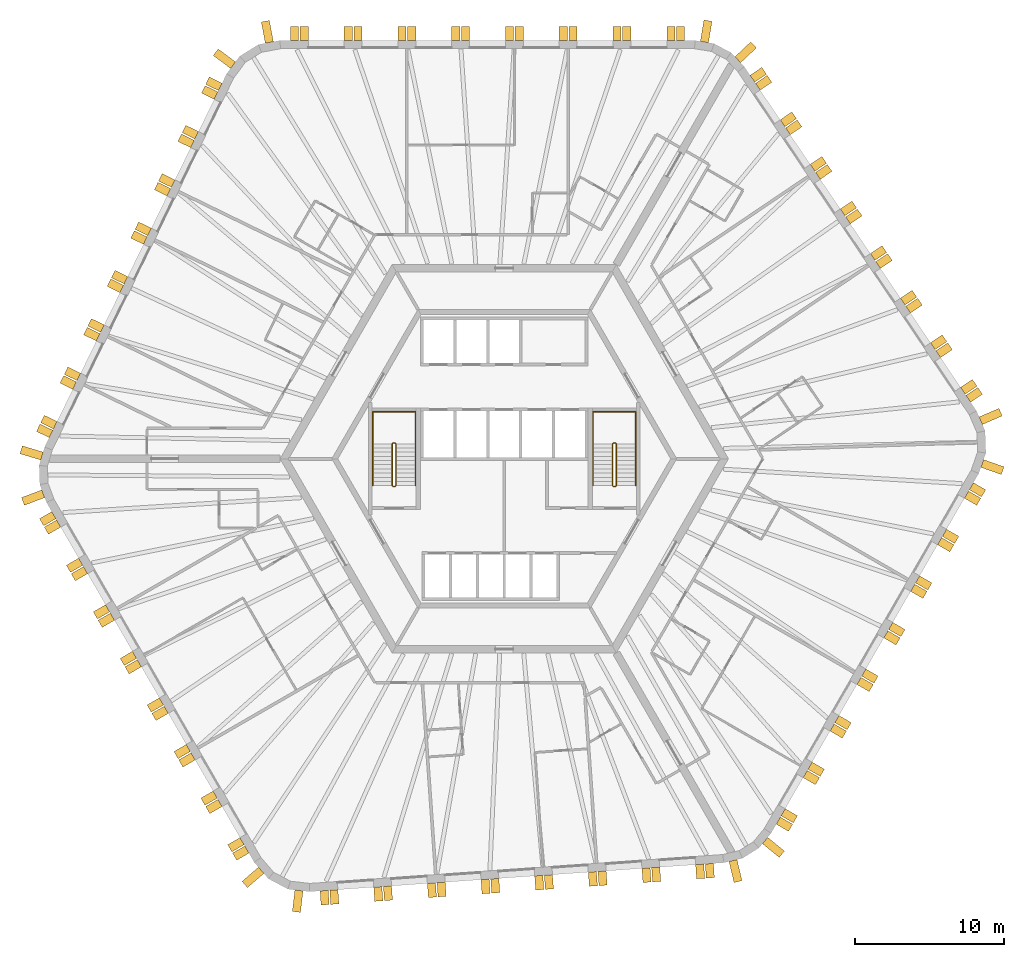
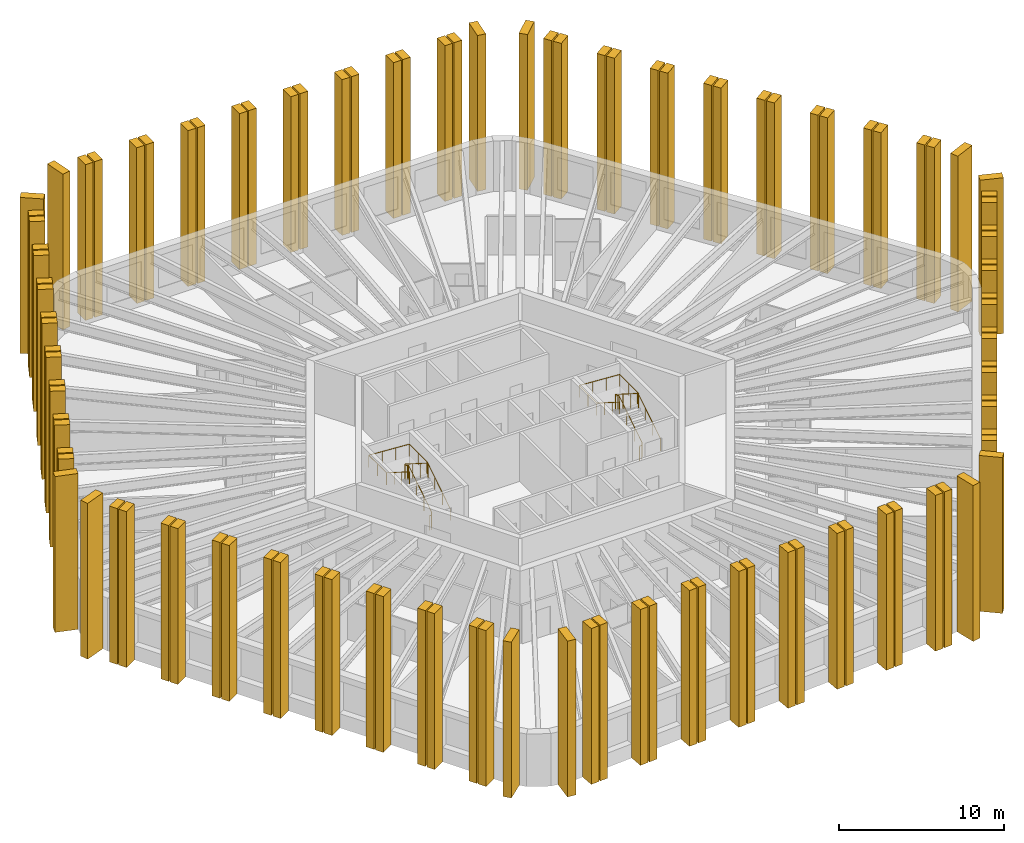
# One storey, part 10 of 10: 108 shading devices, 4 railings.
"""IFC4 building model written with IfcOpenShell, lengths in metres."""

from ifc_helpers import new_model, si_unit, direction, frame, origin, origin_2d, place, context, subcontext, project, spatial, polyline, circle, outline, extrude, material, layer, layer_set, type_object, element, save


model = new_model("IFC4")

# Units and contexts
model_context = context("Model", 3, precision=1e-05, world=origin(), true_north=direction((0.0, 1.0)))
body_context = subcontext(model_context, "Body", "Model", "MODEL_VIEW")
ifc_project = project(units=[si_unit("LENGTHUNIT", "METRE"), si_unit("AREAUNIT", "SQUARE_METRE"), si_unit("VOLUMEUNIT", "CUBIC_METRE"), si_unit("PLANEANGLEUNIT", "RADIAN"), si_unit("MASSUNIT", "GRAM", prefix="KILO")], contexts=[model_context])

# Site, building, storey
site_placement = place(None, origin())
site = spatial("IfcSite", under=ifc_project, at=site_placement, CompositionType="ELEMENT")
building_placement = place(site_placement, origin())
building = spatial("IfcBuilding", under=site, at=building_placement, Name="Tarnside Tower", CompositionType="ELEMENT")
storey_placement = place(building_placement, frame((0.0, 0.0, 238.5)))
storey = spatial("IfcBuildingStorey", under=building, at=storey_placement, Name="L57", CompositionType="ELEMENT", Elevation=238.5)

# Shading devices
ifc_material_1 = material(Name="Concrete C50/60 white precast", Category="concrete")
ifc_layer_1 = layer(ifc_material_1, 0.550048828125)
ifc_layer_set_1 = layer_set([ifc_layer_1], Name="Precast fin 550 x 1450")
shading_device_type_1 = type_object("IfcShadingDeviceType", Name="Precast fin 550 x 1450", PredefinedType="USERDEFINED", material=ifc_layer_set_1)
for number, where, z_axis, x_axis, name in (
    (1, (-15.725341796875, 27.86767578125, -0.14990234375), (0.982720646705, 0.18509492305, 0.0), (-0.18509492305, 0.982720646705, 0.0), "Precast fin"),
    (2, (-18.15380859375, 26.35009765625, -0.14990234375), (0.597158591707, 0.802123192752, 0.0), (-0.802123192752, 0.597158591707, 0.0), "Precast fin"),
    (3, (-30.949951171875, 0.184326171875, -0.14990234375), (0.286803232717, 0.957989512314, 0.0), (-0.957989512314, 0.286803232717, 0.0), "Precast fin"),
    (4, (-30.861572265625, -2.343017578125, -0.14990234375), (-0.352930564719, 0.935649515837, 0.0), (-0.935649515837, -0.352930564719, 0.0), "Precast fin"),
    (5, (-16.271484375, -27.55224609375, -0.14990234375), (-0.651657228826, 0.758513583345, 0.0), (-0.758513583345, -0.651657228826, 0.0), "Precast fin"),
    (6, (-13.7431640625, -28.896728515625, -0.14990234375), (-0.993238357741, 0.116092914131, 0.0), (-0.116092914131, -0.993238357741, 0.0), "Precast fin"),
    (7, (15.315185546875, -26.8955078125, -0.14990234375), (-0.973044870581, -0.230615870737, 0.0), (0.230615870737, -0.973044870581, 0.0), "Precast fin"),
    (8, (17.4599609375, -25.555419921875, -0.14990234375), (-0.633830967394, -0.773471592738, 0.0), (0.773471592738, -0.633830967394, 0.0), "Precast fin"),
    (9, (31.996826171875, -0.315185546875, -0.14990234375), (-0.331063417879, -0.943608506396, 0.0), (0.943608506396, -0.331063417879, 0.0), "Precast fin"),
    (10, (31.896728515625, 2.54638671875, -0.14990234375), (0.396079766034, -0.918216106883, 0.0), (0.918216106883, 0.396079766034, 0.0), "Precast fin"),
    (11, (15.634765625, 26.711181640625, -0.14990234375), (0.686241637865, -0.727373641577, 0.0), (0.727373641577, 0.686241637865, 0.0), "Precast fin"),
    (12, (13.40185546875, 27.8984375, -0.14990234375), (0.986761532114, -0.1621779231, 0.0), (0.1621779231, 0.986761532114, 0.0), "Precast fin"),
):
    element("IfcShadingDevice", number, at=place(storey_placement, frame(where, z_axis=z_axis, x_axis=x_axis)), inside=storey, type_object=shading_device_type_1, Name=name, ObjectType="FIN", PredefinedType="USERDEFINED", context=body_context, shape_type="SweptSolid", body=[
        extrude(outline(polyline([(0.0, 0.0), (1.449951171875, 0.0), (1.449951171875, 11.5498046875), (0.0, 11.5498046875), (0.0, 0.0)])), frame((0.0, 0.0, -0.27490234375)), (0.0, 0.0, 1.0), 0.550048828125),
    ])
ifc_layer_2 = layer(ifc_material_1, 0.550048828125)
ifc_layer_set_2 = layer_set([ifc_layer_2], Name="Precast fin 550 x 950")
shading_device_type_2 = type_object("IfcShadingDeviceType", Name="Precast fin 550 x 950", PredefinedType="USERDEFINED", material=ifc_layer_set_2)
for number, where, z_axis, x_axis, name in (
    (13, (11.80712890625, 28.0, -0.14990234375), (1.0, 0.0, 0.0), (0.0, 1.0, 0.0), "Precast fin"),
    (14, (11.1572265625, 28.0, -0.14990234375), (1.0, 0.0, 0.0), (0.0, 1.0, 0.0), "Precast fin"),
    (15, (8.20703125, 28.0, -0.14990234375), (1.0, 0.0, 0.0), (0.0, 1.0, 0.0), "Precast fin"),
    (16, (7.55712890625, 28.0, -0.14990234375), (1.0, 0.0, 0.0), (0.0, 1.0, 0.0), "Precast fin"),
    (17, (4.607177734375, 28.0, -0.14990234375), (1.0, 0.0, 0.0), (0.0, 1.0, 0.0), "Precast fin"),
    (18, (3.95703125, 28.0, -0.14990234375), (1.0, 0.0, 0.0), (0.0, 1.0, 0.0), "Precast fin"),
    (19, (1.007080078125, 28.0, -0.14990234375), (1.0, 0.0, 0.0), (0.0, 1.0, 0.0), "Precast fin"),
    (20, (0.357177734375, 28.0, -0.14990234375), (1.0, 0.0, 0.0), (0.0, 1.0, 0.0), "Precast fin"),
    (21, (-2.5927734375, 28.0, -0.14990234375), (1.0, 0.0, 0.0), (0.0, 1.0, 0.0), "Precast fin"),
    (22, (-3.242919921875, 28.0, -0.14990234375), (1.0, 0.0, 0.0), (0.0, 1.0, 0.0), "Precast fin"),
    (23, (-6.19287109375, 28.0, -0.14990234375), (1.0, 0.0, 0.0), (0.0, 1.0, 0.0), "Precast fin"),
    (24, (-6.8427734375, 28.0, -0.14990234375), (1.0, 0.0, 0.0), (0.0, 1.0, 0.0), "Precast fin"),
    (25, (-9.79296875, 28.0, -0.14990234375), (1.0, 0.0, 0.0), (0.0, 1.0, 0.0), "Precast fin"),
    (26, (-10.44287109375, 28.0, -0.14990234375), (1.0, 0.0, 0.0), (0.0, 1.0, 0.0), "Precast fin"),
    (27, (-13.392822265625, 28.0, -0.14990234375), (1.0, 0.0, 0.0), (0.0, 1.0, 0.0), "Precast fin"),
    (28, (-14.04296875, 28.0, -0.14990234375), (1.0, 0.0, 0.0), (0.0, 1.0, 0.0), "Precast fin"),
    (29, (-19.01025390625, 24.896240234375, -0.14990234375), (0.438371146789, 0.898794046299, 0.0), (-0.898794046299, 0.438371146789, 0.0), "Precast fin"),
    (30, (-19.295166015625, 24.31201171875, -0.14990234375), (0.438371146789, 0.898794046299, 0.0), (-0.898794046299, 0.438371146789, 0.0), "Precast fin"),
    (31, (-20.58837890625, 21.660400390625, -0.14990234375), (0.438371146789, 0.898794046299, 0.0), (-0.898794046299, 0.438371146789, 0.0), "Precast fin"),
    (32, (-20.873291015625, 21.076171875, -0.14990234375), (0.438371146789, 0.898794046299, 0.0), (-0.898794046299, 0.438371146789, 0.0), "Precast fin"),
    (33, (-22.16650390625, 18.4248046875, -0.14990234375), (0.438371146789, 0.898794046299, 0.0), (-0.898794046299, 0.438371146789, 0.0), "Precast fin"),
    (34, (-22.451416015625, 17.840576171875, -0.14990234375), (0.438371146789, 0.898794046299, 0.0), (-0.898794046299, 0.438371146789, 0.0), "Precast fin"),
    (35, (-23.74462890625, 15.189208984375, -0.14990234375), (0.438371146789, 0.898794046299, 0.0), (-0.898794046299, 0.438371146789, 0.0), "Precast fin"),
    (36, (-24.029541015625, 14.60498046875, -0.14990234375), (0.438371146789, 0.898794046299, 0.0), (-0.898794046299, 0.438371146789, 0.0), "Precast fin"),
    (37, (-25.32275390625, 11.953369140625, -0.14990234375), (0.438371146789, 0.898794046299, 0.0), (-0.898794046299, 0.438371146789, 0.0), "Precast fin"),
    (38, (-25.607666015625, 11.369384765625, -0.14990234375), (0.438371146789, 0.898794046299, 0.0), (-0.898794046299, 0.438371146789, 0.0), "Precast fin"),
    (39, (-26.90087890625, 8.7177734375, -0.14990234375), (0.438371146789, 0.898794046299, 0.0), (-0.898794046299, 0.438371146789, 0.0), "Precast fin"),
    (40, (-27.185791015625, 8.133544921875, -0.14990234375), (0.438371146789, 0.898794046299, 0.0), (-0.898794046299, 0.438371146789, 0.0), "Precast fin"),
    (41, (-28.47900390625, 5.482177734375, -0.14990234375), (0.438371146789, 0.898794046299, 0.0), (-0.898794046299, 0.438371146789, 0.0), "Precast fin"),
    (42, (-28.763916015625, 4.89794921875, -0.14990234375), (0.438371146789, 0.898794046299, 0.0), (-0.898794046299, 0.438371146789, 0.0), "Precast fin"),
    (43, (-30.05712890625, 2.24658203125, -0.14990234375), (0.438371146789, 0.898794046299, 0.0), (-0.898794046299, 0.438371146789, 0.0), "Precast fin"),
    (44, (-30.342041015625, 1.662353515625, -0.14990234375), (0.438371146789, 0.898794046299, 0.0), (-0.898794046299, 0.438371146789, 0.0), "Precast fin"),
    (45, (-30.15234375, -3.774658203125, -0.14990234375), (-0.5, 0.866025403784, 0.0), (-0.866025403784, -0.5, 0.0), "Precast fin"),
    (46, (-29.827392578125, -4.337646484375, -0.14990234375), (-0.5, 0.866025403784, 0.0), (-0.866025403784, -0.5, 0.0), "Precast fin"),
    (47, (-28.352294921875, -6.892333984375, -0.14990234375), (-0.5, 0.866025403784, 0.0), (-0.866025403784, -0.5, 0.0), "Precast fin"),
    (48, (-28.02734375, -7.455322265625, -0.14990234375), (-0.5, 0.866025403784, 0.0), (-0.866025403784, -0.5, 0.0), "Precast fin"),
    (49, (-26.55224609375, -10.010009765625, -0.14990234375), (-0.5, 0.866025403784, 0.0), (-0.866025403784, -0.5, 0.0), "Precast fin"),
    (50, (-26.227294921875, -10.572998046875, -0.14990234375), (-0.5, 0.866025403784, 0.0), (-0.866025403784, -0.5, 0.0), "Precast fin"),
    (51, (-24.752197265625, -13.127685546875, -0.14990234375), (-0.5, 0.866025403784, 0.0), (-0.866025403784, -0.5, 0.0), "Precast fin"),
    (52, (-24.42724609375, -13.690673828125, -0.14990234375), (-0.5, 0.866025403784, 0.0), (-0.866025403784, -0.5, 0.0), "Precast fin"),
    (53, (-22.952392578125, -16.24560546875, -0.14990234375), (-0.5, 0.866025403784, 0.0), (-0.866025403784, -0.5, 0.0), "Precast fin"),
    (54, (-22.627197265625, -16.808349609375, -0.14990234375), (-0.5, 0.866025403784, 0.0), (-0.866025403784, -0.5, 0.0), "Precast fin"),
    (55, (-21.15234375, -19.36328125, -0.14990234375), (-0.5, 0.866025403784, 0.0), (-0.866025403784, -0.5, 0.0), "Precast fin"),
    (56, (-20.827392578125, -19.926025390625, -0.14990234375), (-0.5, 0.866025403784, 0.0), (-0.866025403784, -0.5, 0.0), "Precast fin"),
    (57, (-19.352294921875, -22.48095703125, -0.14990234375), (-0.5, 0.866025403784, 0.0), (-0.866025403784, -0.5, 0.0), "Precast fin"),
    (58, (-19.02734375, -23.043701171875, -0.14990234375), (-0.5, 0.866025403784, 0.0), (-0.866025403784, -0.5, 0.0), "Precast fin"),
    (59, (-17.55224609375, -25.5986328125, -0.14990234375), (-0.5, 0.866025403784, 0.0), (-0.866025403784, -0.5, 0.0), "Precast fin"),
    (60, (-17.227294921875, -26.161376953125, -0.14990234375), (-0.5, 0.866025403784, 0.0), (-0.866025403784, -0.5, 0.0), "Precast fin"),
    (61, (-12.0556640625, -28.911376953125, -0.14990234375), (-0.99756405026, -0.069756473744, 0.0), (0.069756473744, -0.99756405026, 0.0), "Precast fin"),
    (62, (-11.4072265625, -28.865966796875, -0.14990234375), (-0.99756405026, -0.069756473744, 0.0), (0.069756473744, -0.99756405026, 0.0), "Precast fin"),
    (63, (-8.46435546875, -28.66015625, -0.14990234375), (-0.99756405026, -0.069756473744, 0.0), (0.069756473744, -0.99756405026, 0.0), "Precast fin"),
    (64, (-7.81591796875, -28.614990234375, -0.14990234375), (-0.99756405026, -0.069756473744, 0.0), (0.069756473744, -0.99756405026, 0.0), "Precast fin"),
    (65, (-4.873046875, -28.4091796875, -0.14990234375), (-0.99756405026, -0.069756473744, 0.0), (0.069756473744, -0.99756405026, 0.0), "Precast fin"),
    (66, (-4.224609375, -28.36376953125, -0.14990234375), (-0.99756405026, -0.069756473744, 0.0), (0.069756473744, -0.99756405026, 0.0), "Precast fin"),
    (67, (-1.281982421875, -28.157958984375, -0.14990234375), (-0.99756405026, -0.069756473744, 0.0), (0.069756473744, -0.99756405026, 0.0), "Precast fin"),
    (68, (-0.633544921875, -28.112548828125, -0.14990234375), (-0.99756405026, -0.069756473744, 0.0), (0.069756473744, -0.99756405026, 0.0), "Precast fin"),
    (69, (2.309326171875, -27.906982421875, -0.14990234375), (-0.99756405026, -0.069756473744, 0.0), (0.069756473744, -0.99756405026, 0.0), "Precast fin"),
    (70, (2.957763671875, -27.861572265625, -0.14990234375), (-0.99756405026, -0.069756473744, 0.0), (0.069756473744, -0.99756405026, 0.0), "Precast fin"),
    (71, (5.900634765625, -27.65576171875, -0.14990234375), (-0.99756405026, -0.069756473744, 0.0), (0.069756473744, -0.99756405026, 0.0), "Precast fin"),
    (72, (6.549072265625, -27.6103515625, -0.14990234375), (-0.99756405026, -0.069756473744, 0.0), (0.069756473744, -0.99756405026, 0.0), "Precast fin"),
    (73, (9.49169921875, -27.404541015625, -0.14990234375), (-0.99756405026, -0.069756473744, 0.0), (0.069756473744, -0.99756405026, 0.0), "Precast fin"),
    (74, (10.14013671875, -27.359375, -0.14990234375), (-0.99756405026, -0.069756473744, 0.0), (0.069756473744, -0.99756405026, 0.0), "Precast fin"),
    (75, (13.0830078125, -27.153564453125, -0.14990234375), (-0.99756405026, -0.069756473744, 0.0), (0.069756473744, -0.99756405026, 0.0), "Precast fin"),
    (76, (13.7314453125, -27.108154296875, -0.14990234375), (-0.99756405026, -0.069756473744, 0.0), (0.069756473744, -0.99756405026, 0.0), "Precast fin"),
    (77, (18.34521484375, -24.225341796875, -0.14990234375), (-0.5, -0.866025403784, 0.0), (0.866025403784, -0.5, 0.0), "Precast fin"),
    (78, (18.670166015625, -23.662353515625, -0.14990234375), (-0.5, -0.866025403784, 0.0), (0.866025403784, -0.5, 0.0), "Precast fin"),
    (79, (20.145263671875, -21.107666015625, -0.14990234375), (-0.5, -0.866025403784, 0.0), (0.866025403784, -0.5, 0.0), "Precast fin"),
    (80, (20.47021484375, -20.544677734375, -0.14990234375), (-0.5, -0.866025403784, 0.0), (0.866025403784, -0.5, 0.0), "Precast fin"),
    (81, (21.945068359375, -17.989990234375, -0.14990234375), (-0.5, -0.866025403784, 0.0), (0.866025403784, -0.5, 0.0), "Precast fin"),
    (82, (22.270263671875, -17.427001953125, -0.14990234375), (-0.5, -0.866025403784, 0.0), (0.866025403784, -0.5, 0.0), "Precast fin"),
    (83, (23.7451171875, -14.872314453125, -0.14990234375), (-0.5, -0.866025403784, 0.0), (0.866025403784, -0.5, 0.0), "Precast fin"),
    (84, (24.070068359375, -14.309326171875, -0.14990234375), (-0.5, -0.866025403784, 0.0), (0.866025403784, -0.5, 0.0), "Precast fin"),
    (85, (25.545166015625, -11.75439453125, -0.14990234375), (-0.5, -0.866025403784, 0.0), (0.866025403784, -0.5, 0.0), "Precast fin"),
    (86, (25.8701171875, -11.191650390625, -0.14990234375), (-0.5, -0.866025403784, 0.0), (0.866025403784, -0.5, 0.0), "Precast fin"),
    (87, (27.34521484375, -8.63671875, -0.14990234375), (-0.5, -0.866025403784, 0.0), (0.866025403784, -0.5, 0.0), "Precast fin"),
    (88, (27.670166015625, -8.073974609375, -0.14990234375), (-0.5, -0.866025403784, 0.0), (0.866025403784, -0.5, 0.0), "Precast fin"),
    (89, (29.145263671875, -5.51904296875, -0.14990234375), (-0.5, -0.866025403784, 0.0), (0.866025403784, -0.5, 0.0), "Precast fin"),
    (90, (29.47021484375, -4.956298828125, -0.14990234375), (-0.5, -0.866025403784, 0.0), (0.866025403784, -0.5, 0.0), "Precast fin"),
    (91, (30.945068359375, -2.4013671875, -0.14990234375), (-0.5, -0.866025403784, 0.0), (0.866025403784, -0.5, 0.0), "Precast fin"),
    (92, (31.270263671875, -1.838623046875, -0.14990234375), (-0.5, -0.866025403784, 0.0), (0.866025403784, -0.5, 0.0), "Precast fin"),
    (93, (31.065673828125, 4.01513671875, -0.14990234375), (0.559192903471, -0.829037572555, 0.0), (0.829037572555, 0.559192903471, 0.0), "Precast fin"),
    (94, (30.702392578125, 4.55419921875, -0.14990234375), (0.559192903471, -0.829037572555, 0.0), (0.829037572555, 0.559192903471, 0.0), "Precast fin"),
    (95, (29.052734375, 6.999755859375, -0.14990234375), (0.559192903471, -0.829037572555, 0.0), (0.829037572555, 0.559192903471, 0.0), "Precast fin"),
    (96, (28.689208984375, 7.53857421875, -0.14990234375), (0.559192903471, -0.829037572555, 0.0), (0.829037572555, 0.559192903471, 0.0), "Precast fin"),
    (97, (27.03955078125, 9.984375, -0.14990234375), (0.559192903471, -0.829037572555, 0.0), (0.829037572555, 0.559192903471, 0.0), "Precast fin"),
    (98, (26.676025390625, 10.523193359375, -0.14990234375), (0.559192903471, -0.829037572555, 0.0), (0.829037572555, 0.559192903471, 0.0), "Precast fin"),
    (99, (25.026611328125, 12.96875, -0.14990234375), (0.559192903471, -0.829037572555, 0.0), (0.829037572555, 0.559192903471, 0.0), "Precast fin"),
    (100, (24.6630859375, 13.5078125, -0.14990234375), (0.559192903471, -0.829037572555, 0.0), (0.829037572555, 0.559192903471, 0.0), "Precast fin"),
    (101, (23.013427734375, 15.953369140625, -0.14990234375), (0.559192903471, -0.829037572555, 0.0), (0.829037572555, 0.559192903471, 0.0), "Precast fin"),
    (102, (22.64990234375, 16.4921875, -0.14990234375), (0.559192903471, -0.829037572555, 0.0), (0.829037572555, 0.559192903471, 0.0), "Precast fin"),
    (103, (21.000244140625, 18.93798828125, -0.14990234375), (0.559192903471, -0.829037572555, 0.0), (0.829037572555, 0.559192903471, 0.0), "Precast fin"),
    (104, (20.63671875, 19.476806640625, -0.14990234375), (0.559192903471, -0.829037572555, 0.0), (0.829037572555, 0.559192903471, 0.0), "Precast fin"),
    (105, (18.9873046875, 21.92236328125, -0.14990234375), (0.559192903471, -0.829037572555, 0.0), (0.829037572555, 0.559192903471, 0.0), "Precast fin"),
    (106, (18.623779296875, 22.46142578125, -0.14990234375), (0.559192903471, -0.829037572555, 0.0), (0.829037572555, 0.559192903471, 0.0), "Precast fin"),
    (107, (16.97412109375, 24.906982421875, -0.14990234375), (0.559192903471, -0.829037572555, 0.0), (0.829037572555, 0.559192903471, 0.0), "Precast fin"),
    (108, (16.610595703125, 25.44580078125, -0.14990234375), (0.559192903471, -0.829037572555, 0.0), (0.829037572555, 0.559192903471, 0.0), "Precast fin"),
):
    element("IfcShadingDevice", number, at=place(storey_placement, frame(where, z_axis=z_axis, x_axis=x_axis)), inside=storey, type_object=shading_device_type_2, Name=name, ObjectType="FIN", PredefinedType="USERDEFINED", context=body_context, shape_type="SweptSolid", body=[
        extrude(outline(polyline([(0.0, 0.0), (0.949951171875, 0.0), (0.949951171875, 11.5498046875), (0.0, 11.5498046875), (0.0, 0.0)])), frame((0.0, 0.0, -0.27490234375)), (0.0, 0.0, 1.0), 0.550048828125),
    ])

# Railings
ifc_material_2 = material(Name="Stainless steel", Category="steel")
railing_type_1 = type_object("IfcRailingType", Name="Stair guard 1100", PredefinedType="GUARDRAIL", material=ifc_material_2)
railing_1_placement = place(storey_placement, frame((7.300048828125, -1.85009765625, 0.0)))
element("IfcRailing", 109, at=railing_1_placement, inside=storey, type_object=railing_type_1, Name="L57 ST1 stair guard 1", PredefinedType="GUARDRAIL", context=body_context, shape_type="SweptSolid", body=[
    extrude(circle(Radius=0.02392578125, at=origin_2d()), frame((0.0, 0.0, 1.076171875), z_axis=(1.0, 0.0, 0.0), x_axis=(0.0, 1.0, 0.0)), (0.0, 0.0, 1.0), 0.14990234375),
    extrude(circle(Radius=0.02392578125, at=origin_2d()), frame((0.14990234375, 0.0, 1.076171875), z_axis=(0.262233686654, 0.262233686654, 0.928691007369), x_axis=(-0.707106781187, 0.707106781187, 0.0)), (0.0, 0.0, 1.0), 0.19091796875),
    extrude(circle(Radius=0.02392578125, at=origin_2d()), frame((0.199951171875, 0.050048828125, 1.25341796875), z_axis=(0.0, 0.844908973607, 0.534910110503), x_axis=(-1.0, 0.0, 0.0)), (0.0, 0.0, 1.0), 3.31396484375),
    extrude(circle(Radius=0.02392578125, at=origin_2d()), frame((0.199951171875, 2.85009765625, 3.02587890625), z_axis=(-0.707106781187, 0.707106781187, 0.0), x_axis=(-0.707106781187, -0.707106781187, 0.0)), (0.0, 0.0, 1.0), 0.07080078125),
    extrude(circle(Radius=0.02392578125, at=origin_2d()), frame((0.14990234375, 2.900146484375, 3.02587890625), z_axis=(-1.0, 0.0, 0.0), x_axis=(0.0, -1.0, 0.0)), (0.0, 0.0, 1.0), 0.14990234375),
    extrude(circle(Radius=0.02392578125, at=origin_2d()), frame((0.0, 2.900146484375, 3.02587890625), z_axis=(-0.262233686654, -0.262233686654, 0.928691007369), x_axis=(0.707106781187, -0.707106781187, 0.0)), (0.0, 0.0, 1.0), 0.19091796875),
    extrude(circle(Radius=0.02392578125, at=origin_2d()), frame((-0.050048828125, 2.85009765625, 3.203125), z_axis=(0.0, -0.844908973607, 0.534910110503), x_axis=(1.0, 0.0, 0.0)), (0.0, 0.0, 1.0), 3.31396484375),
    extrude(circle(Radius=0.02099609375, at=origin_2d()), origin(), (0.0, 0.0, 1.0), 1.052001953125),
    extrude(circle(Radius=0.02099609375, at=origin_2d()), frame((0.14990234375, 0.0, 0.0)), (0.0, 0.0, 1.0), 1.052001953125),
    extrude(circle(Radius=0.02099609375, at=origin_2d()), frame((0.199951171875, 0.050048828125, 0.17724609375)), (0.0, 0.0, 1.0), 1.052001953125),
    extrude(circle(Radius=0.02099609375, at=origin_2d()), frame((0.199951171875, 0.9833984375, 0.76806640625)), (0.0, 0.0, 1.0), 1.052001953125),
    extrude(circle(Radius=0.02099609375, at=origin_2d()), frame((0.199951171875, 1.916748046875, 1.359130859375)), (0.0, 0.0, 1.0), 1.052001953125),
    extrude(circle(Radius=0.02099609375, at=origin_2d()), frame((0.199951171875, 2.85009765625, 1.949951171875)), (0.0, 0.0, 1.0), 1.052001953125),
    extrude(circle(Radius=0.02099609375, at=origin_2d()), frame((0.14990234375, 2.900146484375, 1.949951171875)), (0.0, 0.0, 1.0), 1.052001953125),
    extrude(circle(Radius=0.02099609375, at=origin_2d()), frame((0.0, 2.900146484375, 1.949951171875)), (0.0, 0.0, 1.0), 1.052001953125),
    extrude(circle(Radius=0.02099609375, at=origin_2d()), frame((-0.050048828125, 2.85009765625, 2.127197265625)), (0.0, 0.0, 1.0), 1.052001953125),
    extrude(circle(Radius=0.02099609375, at=origin_2d()), frame((-0.050048828125, 1.916748046875, 2.718017578125)), (0.0, 0.0, 1.0), 1.052001953125),
    extrude(circle(Radius=0.02099609375, at=origin_2d()), frame((-0.050048828125, 0.9833984375, 3.30908203125)), (0.0, 0.0, 1.0), 1.052001953125),
    extrude(circle(Radius=0.02099609375, at=origin_2d()), frame((-0.050048828125, 0.050048828125, 3.89990234375)), (0.0, 0.0, 1.0), 1.052001953125),
])
railing_2_placement = place(storey_placement, frame((-7.449951171875, -1.85009765625, 0.0)))
element("IfcRailing", 110, at=railing_2_placement, inside=storey, type_object=railing_type_1, Name="L57 ST2 stair guard 1", PredefinedType="GUARDRAIL", context=body_context, shape_type="SweptSolid", body=[
    extrude(circle(Radius=0.02392578125, at=origin_2d()), frame((0.0, 0.0, 1.076171875), z_axis=(1.0, 0.0, 0.0), x_axis=(0.0, 1.0, 0.0)), (0.0, 0.0, 1.0), 0.14990234375),
    extrude(circle(Radius=0.02392578125, at=origin_2d()), frame((0.14990234375, 0.0, 1.076171875), z_axis=(0.262233686654, 0.262233686654, 0.928691007369), x_axis=(-0.707106781187, 0.707106781187, 0.0)), (0.0, 0.0, 1.0), 0.19091796875),
    extrude(circle(Radius=0.02392578125, at=origin_2d()), frame((0.199951171875, 0.050048828125, 1.25341796875), z_axis=(0.0, 0.844908973607, 0.534910110503), x_axis=(-1.0, 0.0, 0.0)), (0.0, 0.0, 1.0), 3.31396484375),
    extrude(circle(Radius=0.02392578125, at=origin_2d()), frame((0.199951171875, 2.85009765625, 3.02587890625), z_axis=(-0.707106781187, 0.707106781187, 0.0), x_axis=(-0.707106781187, -0.707106781187, 0.0)), (0.0, 0.0, 1.0), 0.07080078125),
    extrude(circle(Radius=0.02392578125, at=origin_2d()), frame((0.14990234375, 2.900146484375, 3.02587890625), z_axis=(-1.0, 0.0, 0.0), x_axis=(0.0, -1.0, 0.0)), (0.0, 0.0, 1.0), 0.14990234375),
    extrude(circle(Radius=0.02392578125, at=origin_2d()), frame((0.0, 2.900146484375, 3.02587890625), z_axis=(-0.262233686654, -0.262233686654, 0.928691007369), x_axis=(0.707106781187, -0.707106781187, 0.0)), (0.0, 0.0, 1.0), 0.19091796875),
    extrude(circle(Radius=0.02392578125, at=origin_2d()), frame((-0.050048828125, 2.85009765625, 3.203125), z_axis=(0.0, -0.844908973607, 0.534910110503), x_axis=(1.0, 0.0, 0.0)), (0.0, 0.0, 1.0), 3.31396484375),
    extrude(circle(Radius=0.02099609375, at=origin_2d()), origin(), (0.0, 0.0, 1.0), 1.052001953125),
    extrude(circle(Radius=0.02099609375, at=origin_2d()), frame((0.14990234375, 0.0, 0.0)), (0.0, 0.0, 1.0), 1.052001953125),
    extrude(circle(Radius=0.02099609375, at=origin_2d()), frame((0.199951171875, 0.050048828125, 0.17724609375)), (0.0, 0.0, 1.0), 1.052001953125),
    extrude(circle(Radius=0.02099609375, at=origin_2d()), frame((0.199951171875, 0.9833984375, 0.76806640625)), (0.0, 0.0, 1.0), 1.052001953125),
    extrude(circle(Radius=0.02099609375, at=origin_2d()), frame((0.199951171875, 1.916748046875, 1.359130859375)), (0.0, 0.0, 1.0), 1.052001953125),
    extrude(circle(Radius=0.02099609375, at=origin_2d()), frame((0.199951171875, 2.85009765625, 1.949951171875)), (0.0, 0.0, 1.0), 1.052001953125),
    extrude(circle(Radius=0.02099609375, at=origin_2d()), frame((0.14990234375, 2.900146484375, 1.949951171875)), (0.0, 0.0, 1.0), 1.052001953125),
    extrude(circle(Radius=0.02099609375, at=origin_2d()), frame((0.0, 2.900146484375, 1.949951171875)), (0.0, 0.0, 1.0), 1.052001953125),
    extrude(circle(Radius=0.02099609375, at=origin_2d()), frame((-0.050048828125, 2.85009765625, 2.127197265625)), (0.0, 0.0, 1.0), 1.052001953125),
    extrude(circle(Radius=0.02099609375, at=origin_2d()), frame((-0.050048828125, 1.916748046875, 2.718017578125)), (0.0, 0.0, 1.0), 1.052001953125),
    extrude(circle(Radius=0.02099609375, at=origin_2d()), frame((-0.050048828125, 0.9833984375, 3.30908203125)), (0.0, 0.0, 1.0), 1.052001953125),
    extrude(circle(Radius=0.02099609375, at=origin_2d()), frame((-0.050048828125, 0.050048828125, 3.89990234375)), (0.0, 0.0, 1.0), 1.052001953125),
])
railing_type_2 = type_object("IfcRailingType", Name="Stair handrail 900", PredefinedType="HANDRAIL", material=ifc_material_2)
railing_3_placement = place(storey_placement, frame((8.800048828125, -1.800048828125, 0.17724609375)))
element("IfcRailing", 111, at=railing_3_placement, inside=storey, type_object=railing_type_2, Name="L57 ST1 stair handrail 1", PredefinedType="HANDRAIL", context=body_context, shape_type="SweptSolid", body=[
    extrude(circle(Radius=0.02392578125, at=origin_2d()), frame((0.0, 0.0, 0.8857421875), z_axis=(0.0, 0.844908973607, 0.534910110503), x_axis=(-1.0, 0.0, 0.0)), (0.0, 0.0, 1.0), 3.31396484375),
    extrude(circle(Radius=0.02392578125, at=origin_2d()), frame((0.0, 2.800048828125, 2.65869140625), z_axis=(0.0, 1.0, 0.0), x_axis=(-1.0, 0.0, 0.0)), (0.0, 0.0, 1.0), 2.14990234375),
    extrude(circle(Radius=0.02392578125, at=origin_2d()), frame((0.0, 4.949951171875, 2.65869140625), z_axis=(-0.998071825391, 0.0, 0.06206956872), x_axis=(0.0, -1.0, 0.0)), (0.0, 0.0, 1.0), 2.855712890625),
    extrude(circle(Radius=0.02392578125, at=origin_2d()), frame((-2.85009765625, 4.949951171875, 2.8359375), z_axis=(0.0, -1.0, 0.0), x_axis=(1.0, 0.0, 0.0)), (0.0, 0.0, 1.0), 2.14990234375),
    extrude(circle(Radius=0.02392578125, at=origin_2d()), frame((-2.85009765625, 2.800048828125, 2.8359375), z_axis=(0.0, -0.844908973607, 0.534910110503), x_axis=(1.0, 0.0, 0.0)), (0.0, 0.0, 1.0), 3.31396484375),
    extrude(circle(Radius=0.02099609375, at=origin_2d()), origin(), (0.0, 0.0, 1.0), 0.86181640625),
    extrude(circle(Radius=0.02099609375, at=origin_2d()), frame((0.0, 0.933349609375, 0.5908203125)), (0.0, 0.0, 1.0), 0.86181640625),
    extrude(circle(Radius=0.02099609375, at=origin_2d()), frame((0.0, 1.86669921875, 1.181884765625)), (0.0, 0.0, 1.0), 0.86181640625),
    extrude(circle(Radius=0.02099609375, at=origin_2d()), frame((0.0, 2.800048828125, 1.772705078125)), (0.0, 0.0, 1.0), 0.86181640625),
    extrude(circle(Radius=0.02099609375, at=origin_2d()), frame((0.0, 3.875, 1.772705078125)), (0.0, 0.0, 1.0), 0.86181640625),
    extrude(circle(Radius=0.02099609375, at=origin_2d()), frame((0.0, 4.949951171875, 1.772705078125)), (0.0, 0.0, 1.0), 0.86181640625),
    extrude(circle(Radius=0.02099609375, at=origin_2d()), frame((-0.949951171875, 4.949951171875, 1.831787109375)), (0.0, 0.0, 1.0), 0.86181640625),
    extrude(circle(Radius=0.02099609375, at=origin_2d()), frame((-1.900146484375, 4.949951171875, 1.890869140625)), (0.0, 0.0, 1.0), 0.86181640625),
    extrude(circle(Radius=0.02099609375, at=origin_2d()), frame((-2.85009765625, 4.949951171875, 1.949951171875)), (0.0, 0.0, 1.0), 0.86181640625),
    extrude(circle(Radius=0.02099609375, at=origin_2d()), frame((-2.85009765625, 3.875, 1.949951171875)), (0.0, 0.0, 1.0), 0.86181640625),
    extrude(circle(Radius=0.02099609375, at=origin_2d()), frame((-2.85009765625, 2.800048828125, 1.949951171875)), (0.0, 0.0, 1.0), 0.86181640625),
    extrude(circle(Radius=0.02099609375, at=origin_2d()), frame((-2.85009765625, 1.86669921875, 2.540771484375)), (0.0, 0.0, 1.0), 0.86181640625),
    extrude(circle(Radius=0.02099609375, at=origin_2d()), frame((-2.85009765625, 0.933349609375, 3.1318359375)), (0.0, 0.0, 1.0), 0.86181640625),
    extrude(circle(Radius=0.02099609375, at=origin_2d()), frame((-2.85009765625, 0.0, 3.72265625)), (0.0, 0.0, 1.0), 0.86181640625),
])
railing_4_placement = place(storey_placement, frame((-5.949951171875, -1.800048828125, 0.17724609375)))
element("IfcRailing", 112, at=railing_4_placement, inside=storey, type_object=railing_type_2, Name="L57 ST2 stair handrail 1", PredefinedType="HANDRAIL", context=body_context, shape_type="SweptSolid", body=[
    extrude(circle(Radius=0.02392578125, at=origin_2d()), frame((0.0, 0.0, 0.8857421875), z_axis=(0.0, 0.844908973607, 0.534910110503), x_axis=(-1.0, 0.0, 0.0)), (0.0, 0.0, 1.0), 3.31396484375),
    extrude(circle(Radius=0.02392578125, at=origin_2d()), frame((0.0, 2.800048828125, 2.65869140625), z_axis=(0.0, 1.0, 0.0), x_axis=(-1.0, 0.0, 0.0)), (0.0, 0.0, 1.0), 2.14990234375),
    extrude(circle(Radius=0.02392578125, at=origin_2d()), frame((0.0, 4.949951171875, 2.65869140625), z_axis=(-0.998071825391, 0.0, 0.06206956872), x_axis=(0.0, -1.0, 0.0)), (0.0, 0.0, 1.0), 2.855712890625),
    extrude(circle(Radius=0.02392578125, at=origin_2d()), frame((-2.85009765625, 4.949951171875, 2.8359375), z_axis=(0.0, -1.0, 0.0), x_axis=(1.0, 0.0, 0.0)), (0.0, 0.0, 1.0), 2.14990234375),
    extrude(circle(Radius=0.02392578125, at=origin_2d()), frame((-2.85009765625, 2.800048828125, 2.8359375), z_axis=(0.0, -0.844908973607, 0.534910110503), x_axis=(1.0, 0.0, 0.0)), (0.0, 0.0, 1.0), 3.31396484375),
    extrude(circle(Radius=0.02099609375, at=origin_2d()), origin(), (0.0, 0.0, 1.0), 0.86181640625),
    extrude(circle(Radius=0.02099609375, at=origin_2d()), frame((0.0, 0.933349609375, 0.5908203125)), (0.0, 0.0, 1.0), 0.86181640625),
    extrude(circle(Radius=0.02099609375, at=origin_2d()), frame((0.0, 1.86669921875, 1.181884765625)), (0.0, 0.0, 1.0), 0.86181640625),
    extrude(circle(Radius=0.02099609375, at=origin_2d()), frame((0.0, 2.800048828125, 1.772705078125)), (0.0, 0.0, 1.0), 0.86181640625),
    extrude(circle(Radius=0.02099609375, at=origin_2d()), frame((0.0, 3.875, 1.772705078125)), (0.0, 0.0, 1.0), 0.86181640625),
    extrude(circle(Radius=0.02099609375, at=origin_2d()), frame((0.0, 4.949951171875, 1.772705078125)), (0.0, 0.0, 1.0), 0.86181640625),
    extrude(circle(Radius=0.02099609375, at=origin_2d()), frame((-0.949951171875, 4.949951171875, 1.831787109375)), (0.0, 0.0, 1.0), 0.86181640625),
    extrude(circle(Radius=0.02099609375, at=origin_2d()), frame((-1.900146484375, 4.949951171875, 1.890869140625)), (0.0, 0.0, 1.0), 0.86181640625),
    extrude(circle(Radius=0.02099609375, at=origin_2d()), frame((-2.85009765625, 4.949951171875, 1.949951171875)), (0.0, 0.0, 1.0), 0.86181640625),
    extrude(circle(Radius=0.02099609375, at=origin_2d()), frame((-2.85009765625, 3.875, 1.949951171875)), (0.0, 0.0, 1.0), 0.86181640625),
    extrude(circle(Radius=0.02099609375, at=origin_2d()), frame((-2.85009765625, 2.800048828125, 1.949951171875)), (0.0, 0.0, 1.0), 0.86181640625),
    extrude(circle(Radius=0.02099609375, at=origin_2d()), frame((-2.85009765625, 1.86669921875, 2.540771484375)), (0.0, 0.0, 1.0), 0.86181640625),
    extrude(circle(Radius=0.02099609375, at=origin_2d()), frame((-2.85009765625, 0.933349609375, 3.1318359375)), (0.0, 0.0, 1.0), 0.86181640625),
    extrude(circle(Radius=0.02099609375, at=origin_2d()), frame((-2.85009765625, 0.0, 3.72265625)), (0.0, 0.0, 1.0), 0.86181640625),
])

save(model, "model.ifc")
